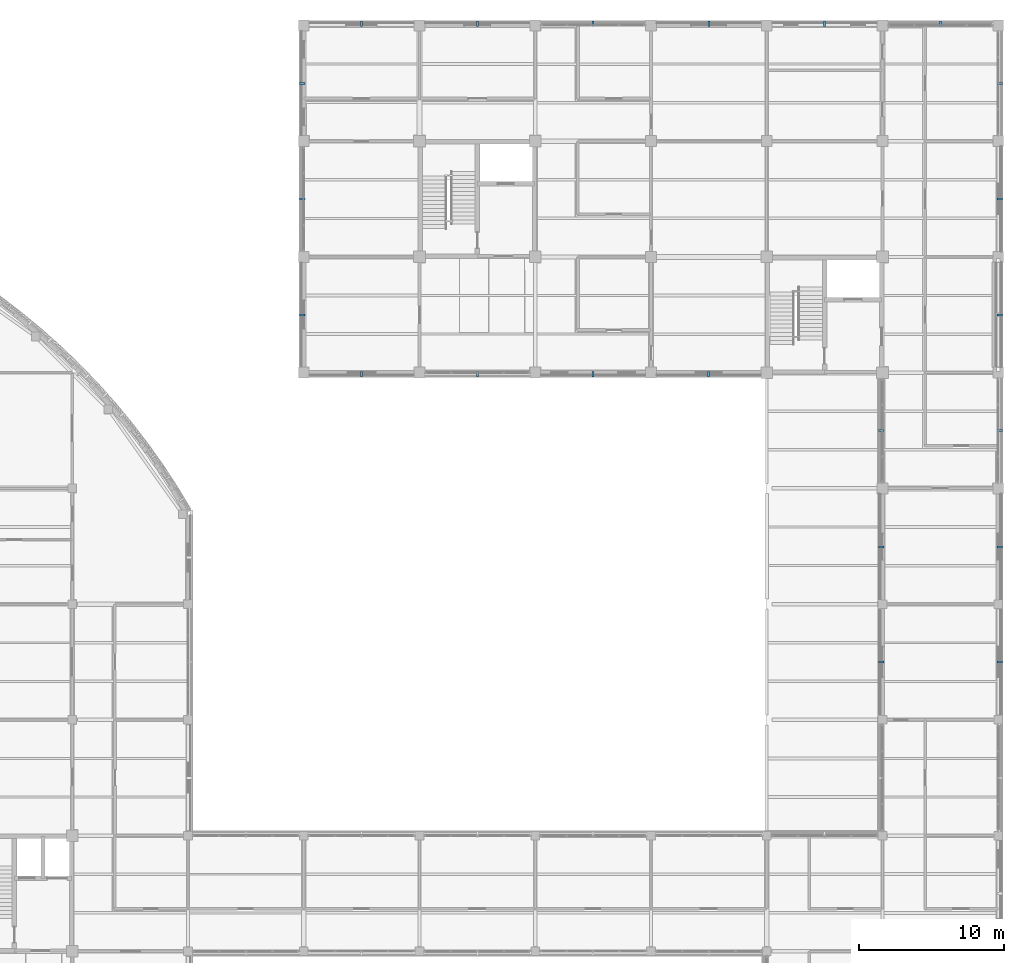
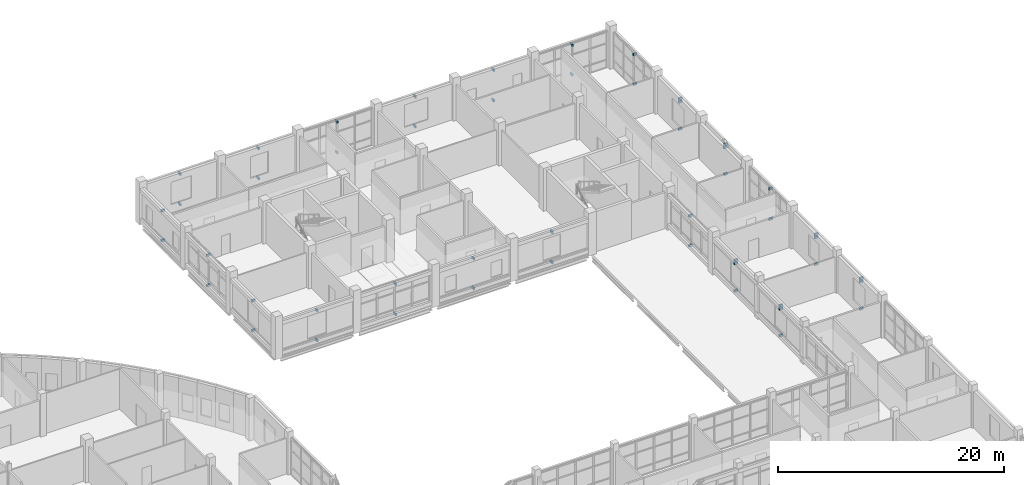
# One storey, part 106 of 121: 50 discrete accessories.
"""IFC4 building model written with IfcOpenShell, lengths in metres."""

from ifc_helpers import new_model, si_unit, derived_unit, direction, frame, origin, origin_2d, place, context, subcontext, project, spatial, rectangle, extrude, material, type_object, element, save


model = new_model("IFC4")

# Units and contexts
model_context = context("Model", 3, precision=1e-05, world=origin(), true_north=direction((0.0, 1.0)))
body_context = subcontext(model_context, "Body", "Model", "MODEL_VIEW")
ifc_project = project(units=[si_unit("LENGTHUNIT", "METRE"), si_unit("AREAUNIT", "SQUARE_METRE"), si_unit("VOLUMEUNIT", "CUBIC_METRE"), si_unit("PLANEANGLEUNIT", "RADIAN"), si_unit("MASSUNIT", "GRAM", prefix="KILO"), derived_unit("THERMALTRANSMITTANCEUNIT", [(si_unit("MASSUNIT", "GRAM", prefix="KILO"), 1), (si_unit("TIMEUNIT", "SECOND"), -3), (si_unit("THERMODYNAMICTEMPERATUREUNIT", "KELVIN"), -1)])], contexts=[model_context])

# Site, building, storey
site_placement = place(None, origin())
site = spatial("IfcSite", under=ifc_project, at=site_placement, CompositionType="ELEMENT")
building_placement = place(site_placement, origin())
building = spatial("IfcBuilding", under=site, at=building_placement, Name="Veyamyaing Civic Hall", CompositionType="ELEMENT")
storey_placement = place(building_placement, frame((0.0, 0.0, 5.280029296875)))
storey = spatial("IfcBuildingStorey", under=building, at=storey_placement, Name="L01", CompositionType="ELEMENT", Elevation=5.280029296875)

# Discrete accessories
ifc_material = material(Name="Steel S355J2", Category="steel")
discrete_accessory_type = type_object("IfcDiscreteAccessoryType", Name="BK-01", PredefinedType="BRACKET", material=ifc_material)
for number, where, z_axis, x_axis, name in (
    (1, (132.0, 87.89990234375, 3.56982421875), (0.0, 0.0, 1.0), (0.0, -1.0, 0.0), "Sunshade anchor bracket BK-01 L01 S 17.12"),
    (2, (132.0, 87.89990234375, 0.35986328125), (0.0, 0.0, 1.0), (0.0, -1.0, 0.0), "Lower ribbon anchor bracket BK-01 L01 S 17.12"),
    (3, (127.89990234375, 92.0, 3.56982421875), (0.0, 0.0, 1.0), (-1.0, 0.0, 0.0), "Sunshade anchor bracket BK-01 L01 W 17.12"),
    (4, (127.89990234375, 92.0, 0.35986328125), (0.0, 0.0, 1.0), (-1.0, 0.0, 0.0), "Lower ribbon anchor bracket BK-01 L01 W 17.12"),
    (5, (127.89990234375, 100.0, 3.6337890625), (0.0, 0.0, 1.0), (-1.0, 0.0, 0.0), "Sunshade anchor bracket BK-01 L01 W 17.13"),
    (6, (127.89990234375, 100.0, 0.35986328125), (0.0, 0.0, 1.0), (-1.0, 0.0, 0.0), "Lower ribbon anchor bracket BK-01 L01 W 17.13"),
    (7, (132.0, 112.10009765625, 3.63720703125), (0.0, 0.0, 1.0), (0.0, 1.0, 0.0), "Sunshade anchor bracket BK-01 L01 N 17.14"),
    (8, (132.0, 112.10009765625, 0.35986328125), (0.0, 0.0, 1.0), (0.0, 1.0, 0.0), "Lower ribbon anchor bracket BK-01 L01 N 17.14"),
    (9, (127.89990234375, 108.0, 3.57421875), (0.0, 0.0, 1.0), (-1.0, 0.0, 0.0), "Sunshade anchor bracket BK-01 L01 W 17.14"),
    (10, (127.89990234375, 108.0, 0.35986328125), (0.0, 0.0, 1.0), (-1.0, 0.0, 0.0), "Lower ribbon anchor bracket BK-01 L01 W 17.14"),
    (11, (140.0, 87.89990234375, 3.6337890625), (0.0, 0.0, 1.0), (0.0, -1.0, 0.0), "Sunshade anchor bracket BK-01 L01 S 18.12"),
    (12, (140.0, 87.89990234375, 0.35986328125), (0.0, 0.0, 1.0), (0.0, -1.0, 0.0), "Lower ribbon anchor bracket BK-01 L01 S 18.12"),
    (13, (140.0, 112.10009765625, 3.61474609375), (0.0, 0.0, 1.0), (0.0, 1.0, 0.0), "Sunshade anchor bracket BK-01 L01 N 18.14"),
    (14, (140.0, 112.10009765625, 0.35986328125), (0.0, 0.0, 1.0), (0.0, 1.0, 0.0), "Lower ribbon anchor bracket BK-01 L01 N 18.14"),
    (15, (148.0, 87.89990234375, 3.57421875), (0.0, 0.0, 1.0), (0.0, -1.0, 0.0), "Sunshade anchor bracket BK-01 L01 S 19.12"),
    (16, (148.0, 87.89990234375, 0.35986328125), (0.0, 0.0, 1.0), (0.0, -1.0, 0.0), "Lower ribbon anchor bracket BK-01 L01 S 19.12"),
    (17, (148.0, 112.10009765625, 3.67919921875), (0.0, 0.0, 1.0), (0.0, 1.0, 0.0), "Sunshade anchor bracket BK-01 L01 N 19.14"),
    (18, (148.0, 112.10009765625, 0.35986328125), (0.0, 0.0, 1.0), (0.0, 1.0, 0.0), "Lower ribbon anchor bracket BK-01 L01 N 19.14"),
    (19, (155.987548828125, 87.89990234375, 3.63720703125), (0.0, 0.0, 1.0), (0.0, -1.0, 0.0), "Sunshade anchor bracket BK-01 L01 S 20.12"),
    (20, (155.987548828125, 87.89990234375, 0.35986328125), (0.0, 0.0, 1.0), (0.0, -1.0, 0.0), "Lower ribbon anchor bracket BK-01 L01 S 20.12"),
    (21, (156.0, 112.10009765625, 3.57421875), (0.0, 0.0, 1.0), (0.0, 1.0, 0.0), "Sunshade anchor bracket BK-01 L01 N 20.14"),
    (22, (156.0, 112.10009765625, 0.35986328125), (0.0, 0.0, 1.0), (0.0, 1.0, 0.0), "Lower ribbon anchor bracket BK-01 L01 N 20.14"),
    (23, (164.0, 112.10009765625, 3.63720703125), (0.0, 0.0, 1.0), (0.0, 1.0, 0.0), "Sunshade anchor bracket BK-01 L01 N 21.14"),
    (24, (164.0, 112.10009765625, 0.35986328125), (0.0, 0.0, 1.0), (0.0, 1.0, 0.0), "Lower ribbon anchor bracket BK-01 L01 N 21.14"),
    (25, (167.89990234375, 68.0, 3.57421875), (0.0, 0.0, 1.0), (-1.0, 0.0, 0.0), "Sunshade anchor bracket BK-01 L01 W 22.9"),
    (26, (167.89990234375, 68.0, 0.35986328125), (0.0, 0.0, 1.0), (-1.0, 0.0, 0.0), "Lower ribbon anchor bracket BK-01 L01 W 22.9"),
    (27, (167.89990234375, 68.0, 3.244140625), (0.0, 0.0, 1.0), (-1.0, 0.0, 0.0), "Louvre anchor bracket BK-01 L01 W 22.9"),
    (28, (176.10009765625, 68.0, 3.63720703125), (0.0, 0.0, 1.0), (1.0, 0.0, 0.0), "Sunshade anchor bracket BK-01 L01 E 22.9"),
    (29, (176.10009765625, 68.0, 0.35986328125), (0.0, 0.0, 1.0), (1.0, 0.0, 0.0), "Lower ribbon anchor bracket BK-01 L01 E 22.9"),
    (30, (176.10009765625, 68.0, 3.30712890625), (0.0, 0.0, 1.0), (1.0, 0.0, 0.0), "Louvre anchor bracket BK-01 L01 E 22.9"),
    (31, (167.89990234375, 75.96240234375, 3.63720703125), (0.0, 0.0, 1.0), (-1.0, 0.0, 0.0), "Sunshade anchor bracket BK-01 L01 W 22.10"),
    (32, (167.89990234375, 75.96240234375, 0.35986328125), (0.0, 0.0, 1.0), (-1.0, 0.0, 0.0), "Lower ribbon anchor bracket BK-01 L01 W 22.10"),
    (33, (167.89990234375, 75.96240234375, 3.30712890625), (0.0, 0.0, 1.0), (-1.0, 0.0, 0.0), "Louvre anchor bracket BK-01 L01 W 22.10"),
    (34, (176.10009765625, 75.96240234375, 3.56982421875), (0.0, 0.0, 1.0), (1.0, 0.0, 0.0), "Sunshade anchor bracket BK-01 L01 E 22.10"),
    (35, (176.10009765625, 75.96240234375, 0.35986328125), (0.0, 0.0, 1.0), (1.0, 0.0, 0.0), "Lower ribbon anchor bracket BK-01 L01 E 22.10"),
    (36, (176.10009765625, 75.96240234375, 3.23974609375), (0.0, 0.0, 1.0), (1.0, 0.0, 0.0), "Louvre anchor bracket BK-01 L01 E 22.10"),
    (37, (167.89990234375, 83.987548828125, 3.56982421875), (0.0, 0.0, 1.0), (-1.0, 0.0, 0.0), "Sunshade anchor bracket BK-01 L01 W 22.11"),
    (38, (167.89990234375, 83.987548828125, 0.35986328125), (0.0, 0.0, 1.0), (-1.0, 0.0, 0.0), "Lower ribbon anchor bracket BK-01 L01 W 22.11"),
    (39, (176.10009765625, 84.0, 3.6337890625), (0.0, 0.0, 1.0), (1.0, 0.0, 0.0), "Sunshade anchor bracket BK-01 L01 E 22.11"),
    (40, (176.10009765625, 84.0, 0.35986328125), (0.0, 0.0, 1.0), (1.0, 0.0, 0.0), "Lower ribbon anchor bracket BK-01 L01 E 22.11"),
    (41, (176.10009765625, 92.0, 3.57421875), (0.0, 0.0, 1.0), (1.0, 0.0, 0.0), "Sunshade anchor bracket BK-01 L01 E 22.12"),
    (42, (176.10009765625, 92.0, 0.35986328125), (0.0, 0.0, 1.0), (1.0, 0.0, 0.0), "Lower ribbon anchor bracket BK-01 L01 E 22.12"),
    (43, (176.10009765625, 92.0, 3.244140625), (0.0, 0.0, 1.0), (1.0, 0.0, 0.0), "Louvre anchor bracket BK-01 L01 E 22.12"),
    (44, (176.10009765625, 100.0, 3.63720703125), (0.0, 0.0, 1.0), (1.0, 0.0, 0.0), "Sunshade anchor bracket BK-01 L01 E 22.13"),
    (45, (176.10009765625, 100.0, 0.35986328125), (0.0, 0.0, 1.0), (1.0, 0.0, 0.0), "Lower ribbon anchor bracket BK-01 L01 E 22.13"),
    (46, (176.10009765625, 100.0, 3.30712890625), (0.0, 0.0, 1.0), (1.0, 0.0, 0.0), "Louvre anchor bracket BK-01 L01 E 22.13"),
    (47, (172.0, 112.10009765625, 3.56982421875), (0.0, 0.0, 1.0), (0.0, 1.0, 0.0), "Sunshade anchor bracket BK-01 L01 N 22.14"),
    (48, (172.0, 112.10009765625, 0.35986328125), (0.0, 0.0, 1.0), (0.0, 1.0, 0.0), "Lower ribbon anchor bracket BK-01 L01 N 22.14"),
    (49, (176.10009765625, 108.0, 3.56982421875), (0.0, 0.0, 1.0), (1.0, 0.0, 0.0), "Sunshade anchor bracket BK-01 L01 E 22.14"),
    (50, (176.10009765625, 108.0, 0.35986328125), (0.0, 0.0, 1.0), (1.0, 0.0, 0.0), "Lower ribbon anchor bracket BK-01 L01 E 22.14"),
):
    element("IfcDiscreteAccessory", number, at=place(storey_placement, frame(where, z_axis=z_axis, x_axis=x_axis)), inside=storey, type_object=discrete_accessory_type, Name=name, PredefinedType="BRACKET", context=body_context, shape_type="SweptSolid", body=[
        extrude(rectangle(XDim=0.3798828125, YDim=0.139892578125, at=origin_2d()), origin(), (0.0, 0.0, 1.0), 0.239990234375),
    ])

save(model, "model.ifc")
